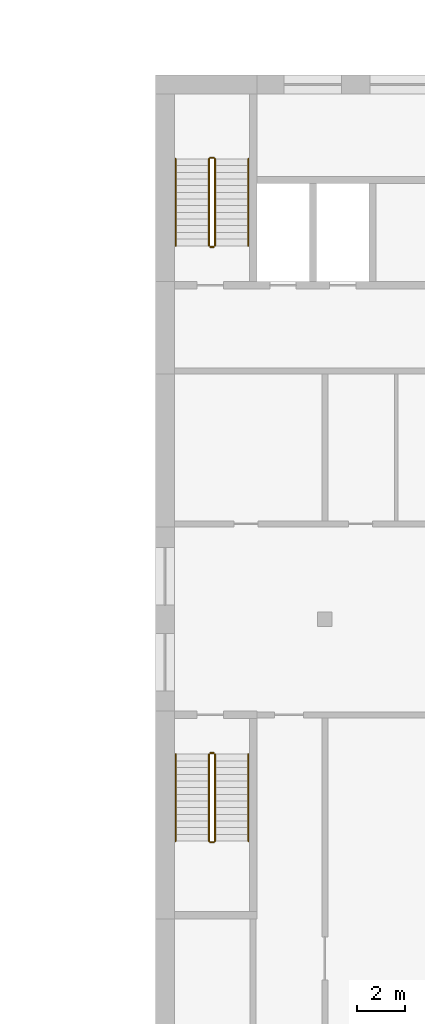
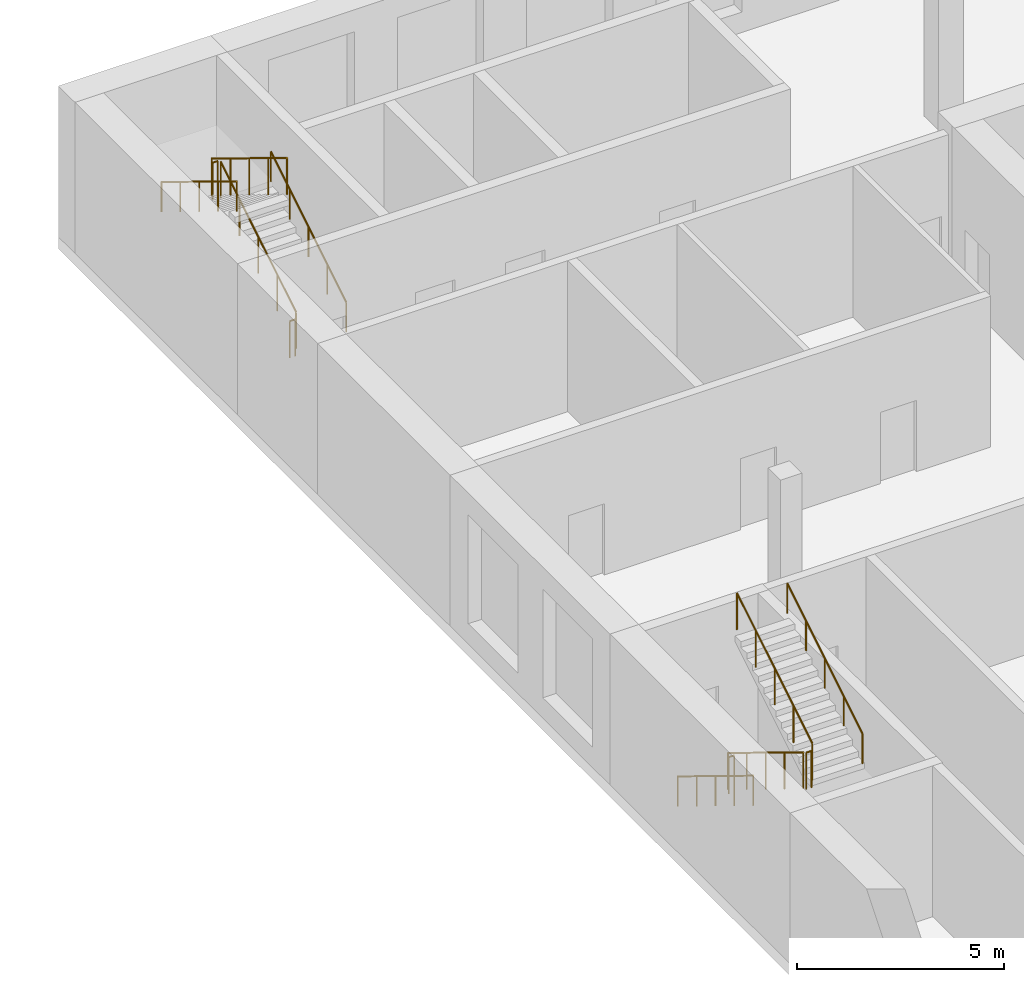
# One storey, part 16 of 24: 12 railings.
"""IFC4 building model written with IfcOpenShell, lengths in metres."""

from ifc_helpers import new_model, si_unit, direction, frame, origin, origin_2d, place, context, subcontext, project, spatial, circle, extrude, material, type_object, element, save


model = new_model("IFC4")

# Units and contexts
model_context = context("Model", 3, precision=1e-05, world=origin(), true_north=direction((0.0, 1.0)))
body_context = subcontext(model_context, "Body", "Model", "MODEL_VIEW")
ifc_project = project(units=[si_unit("LENGTHUNIT", "METRE"), si_unit("AREAUNIT", "SQUARE_METRE"), si_unit("VOLUMEUNIT", "CUBIC_METRE"), si_unit("PLANEANGLEUNIT", "RADIAN"), si_unit("MASSUNIT", "GRAM", prefix="KILO")], contexts=[model_context])

# Site, building, storey
site_placement = place(None, origin())
site = spatial("IfcSite", under=ifc_project, at=site_placement, CompositionType="ELEMENT")
building_placement = place(site_placement, origin())
building = spatial("IfcBuilding", under=site, at=building_placement, Name="Kiln Ring Residences", CompositionType="ELEMENT")
storey_placement = place(building_placement, frame((0.0, 0.0, 11.300048828125)))
storey = spatial("IfcBuildingStorey", under=building, at=storey_placement, Name="L02", CompositionType="ELEMENT", Elevation=11.300048828125)

# Railings
ifc_material_1 = material(Name="Stainless steel", Category="steel")
railing_type_1 = type_object("IfcRailingType", Name="Hall stair guard 1100", PredefinedType="GUARDRAIL", material=ifc_material_1)
railing_1_placement = place(storey_placement, frame((-27.5, -119.550048828125, 0.17138671875)))
element("IfcRailing", 1, at=railing_1_placement, inside=storey, type_object=railing_type_1, Name="L02 HALL.ST1 stair guard 1", PredefinedType="GUARDRAIL", context=body_context, shape_type="SweptSolid", body=[
    extrude(circle(Radius=0.02392578125, at=origin_2d()), frame((0.0, 0.0, 1.076171875), z_axis=(0.0, 0.852865859571, 0.52213008492), x_axis=(-1.0, 0.0, 0.0)), (0.0, 0.0, 1.0), 4.26806640625),
    extrude(circle(Radius=0.02099609375, at=origin_2d()), origin(), (0.0, 0.0, 1.0), 1.052001953125),
    extrude(circle(Radius=0.02099609375, at=origin_2d()), frame((0.0, 0.91015625, 0.55712890625)), (0.0, 0.0, 1.0), 1.052001953125),
    extrude(circle(Radius=0.02099609375, at=origin_2d()), frame((0.0, 1.820068359375, 1.1142578125)), (0.0, 0.0, 1.0), 1.052001953125),
    extrude(circle(Radius=0.02099609375, at=origin_2d()), frame((0.0, 2.72998046875, 1.67138671875)), (0.0, 0.0, 1.0), 1.052001953125),
    extrude(circle(Radius=0.02099609375, at=origin_2d()), frame((0.0, 3.64013671875, 2.228515625)), (0.0, 0.0, 1.0), 1.052001953125),
])
railing_2_placement = place(storey_placement, frame((-27.550048828125, -115.860107421875, 2.39990234375)))
element("IfcRailing", 2, at=railing_2_placement, inside=storey, type_object=railing_type_1, Name="L02 HALL.ST1 stair guard 2", PredefinedType="GUARDRAIL", context=body_context, shape_type="SweptSolid", body=[
    extrude(circle(Radius=0.02392578125, at=origin_2d()), frame((0.0, 0.0, 1.076171875), z_axis=(-1.0, 0.0, 0.0), x_axis=(0.0, -1.0, 0.0)), (0.0, 0.0, 1.0), 0.14990234375),
    extrude(circle(Radius=0.02099609375, at=origin_2d()), origin(), (0.0, 0.0, 1.0), 1.052001953125),
    extrude(circle(Radius=0.02099609375, at=origin_2d()), frame((-0.14990234375, 0.0, 0.0)), (0.0, 0.0, 1.0), 1.052001953125),
])
railing_3_placement = place(storey_placement, frame((-27.75, -115.909912109375, 2.5712890625)))
element("IfcRailing", 3, at=railing_3_placement, inside=storey, type_object=railing_type_1, Name="L02 HALL.ST1 stair guard 3", PredefinedType="GUARDRAIL", context=body_context, shape_type="SweptSolid", body=[
    extrude(circle(Radius=0.02392578125, at=origin_2d()), frame((0.0, 0.0, 1.076171875), z_axis=(0.0, -0.852840387347, 0.522171689878), x_axis=(1.0, 0.0, 0.0)), (0.0, 0.0, 1.0), 4.268310546875),
    extrude(circle(Radius=0.02099609375, at=origin_2d()), origin(), (0.0, 0.0, 1.0), 1.052001953125),
    extrude(circle(Radius=0.02099609375, at=origin_2d()), frame((0.0, -0.91015625, 0.55712890625)), (0.0, 0.0, 1.0), 1.052001953125),
    extrude(circle(Radius=0.02099609375, at=origin_2d()), frame((0.0, -1.820068359375, 1.1142578125)), (0.0, 0.0, 1.0), 1.052001953125),
    extrude(circle(Radius=0.02099609375, at=origin_2d()), frame((0.0, -2.72998046875, 1.671630859375)), (0.0, 0.0, 1.0), 1.052001953125),
    extrude(circle(Radius=0.02099609375, at=origin_2d()), frame((0.0, -3.64013671875, 2.228759765625)), (0.0, 0.0, 1.0), 1.052001953125),
])
railing_4_placement = place(storey_placement, frame((-27.550048828125, -119.60009765625, 0.0)))
element("IfcRailing", 4, at=railing_4_placement, inside=storey, type_object=railing_type_1, Name="L02 HALL.ST1 stair guard 4", PredefinedType="GUARDRAIL", context=body_context, shape_type="SweptSolid", body=[
    extrude(circle(Radius=0.02392578125, at=origin_2d()), frame((0.0, 0.0, 1.076171875), z_axis=(-1.0, 0.0, 0.0), x_axis=(0.0, -1.0, 0.0)), (0.0, 0.0, 1.0), 0.14990234375),
    extrude(circle(Radius=0.02099609375, at=origin_2d()), origin(), (0.0, 0.0, 1.0), 1.052001953125),
    extrude(circle(Radius=0.02099609375, at=origin_2d()), frame((-0.14990234375, 0.0, 0.0)), (0.0, 0.0, 1.0), 1.052001953125),
])
railing_5_placement = place(storey_placement, frame((-27.75, -140.85009765625, 0.17138671875)))
element("IfcRailing", 5, at=railing_5_placement, inside=storey, type_object=railing_type_1, Name="L02 HALL.ST3 stair guard 1", PredefinedType="GUARDRAIL", context=body_context, shape_type="SweptSolid", body=[
    extrude(circle(Radius=0.02392578125, at=origin_2d()), frame((0.0, 0.0, 1.076171875), z_axis=(0.0, -0.852850264322, 0.5221555579), x_axis=(1.0, 0.0, 0.0)), (0.0, 0.0, 1.0), 4.267822265625),
    extrude(circle(Radius=0.02099609375, at=origin_2d()), origin(), (0.0, 0.0, 1.0), 1.052001953125),
    extrude(circle(Radius=0.02099609375, at=origin_2d()), frame((0.0, -0.909912109375, 0.55712890625)), (0.0, 0.0, 1.0), 1.052001953125),
    extrude(circle(Radius=0.02099609375, at=origin_2d()), frame((0.0, -1.81982421875, 1.1142578125)), (0.0, 0.0, 1.0), 1.052001953125),
    extrude(circle(Radius=0.02099609375, at=origin_2d()), frame((0.0, -2.72998046875, 1.67138671875)), (0.0, 0.0, 1.0), 1.052001953125),
    extrude(circle(Radius=0.02099609375, at=origin_2d()), frame((0.0, -3.639892578125, 2.228515625)), (0.0, 0.0, 1.0), 1.052001953125),
])
railing_6_placement = place(storey_placement, frame((-27.699951171875, -144.5400390625, 2.39990234375)))
element("IfcRailing", 6, at=railing_6_placement, inside=storey, type_object=railing_type_1, Name="L02 HALL.ST3 stair guard 2", PredefinedType="GUARDRAIL", context=body_context, shape_type="SweptSolid", body=[
    extrude(circle(Radius=0.02392578125, at=origin_2d()), frame((0.0, 0.0, 1.076171875), z_axis=(1.0, 0.0, 0.0), x_axis=(0.0, 1.0, 0.0)), (0.0, 0.0, 1.0), 0.14990234375),
    extrude(circle(Radius=0.02099609375, at=origin_2d()), origin(), (0.0, 0.0, 1.0), 1.052001953125),
    extrude(circle(Radius=0.02099609375, at=origin_2d()), frame((0.14990234375, 0.0, 0.0)), (0.0, 0.0, 1.0), 1.052001953125),
])
railing_7_placement = place(storey_placement, frame((-27.5, -144.489990234375, 2.5712890625)))
element("IfcRailing", 7, at=railing_7_placement, inside=storey, type_object=railing_type_1, Name="L02 HALL.ST3 stair guard 3", PredefinedType="GUARDRAIL", context=body_context, shape_type="SweptSolid", body=[
    extrude(circle(Radius=0.02392578125, at=origin_2d()), frame((0.0, 0.0, 1.076171875), z_axis=(0.0, 0.852824790078, 0.522197163366), x_axis=(-1.0, 0.0, 0.0)), (0.0, 0.0, 1.0), 4.26806640625),
    extrude(circle(Radius=0.02099609375, at=origin_2d()), origin(), (0.0, 0.0, 1.0), 1.052001953125),
    extrude(circle(Radius=0.02099609375, at=origin_2d()), frame((0.0, 0.909912109375, 0.55712890625)), (0.0, 0.0, 1.0), 1.052001953125),
    extrude(circle(Radius=0.02099609375, at=origin_2d()), frame((0.0, 1.81982421875, 1.1142578125)), (0.0, 0.0, 1.0), 1.052001953125),
    extrude(circle(Radius=0.02099609375, at=origin_2d()), frame((0.0, 2.72998046875, 1.671630859375)), (0.0, 0.0, 1.0), 1.052001953125),
    extrude(circle(Radius=0.02099609375, at=origin_2d()), frame((0.0, 3.639892578125, 2.228759765625)), (0.0, 0.0, 1.0), 1.052001953125),
])
railing_8_placement = place(storey_placement, frame((-27.699951171875, -140.800048828125, 0.0)))
element("IfcRailing", 8, at=railing_8_placement, inside=storey, type_object=railing_type_1, Name="L02 HALL.ST3 stair guard 4", PredefinedType="GUARDRAIL", context=body_context, shape_type="SweptSolid", body=[
    extrude(circle(Radius=0.02392578125, at=origin_2d()), frame((0.0, 0.0, 1.076171875), z_axis=(1.0, 0.0, 0.0), x_axis=(0.0, 1.0, 0.0)), (0.0, 0.0, 1.0), 0.14990234375),
    extrude(circle(Radius=0.02099609375, at=origin_2d()), origin(), (0.0, 0.0, 1.0), 1.052001953125),
    extrude(circle(Radius=0.02099609375, at=origin_2d()), frame((0.14990234375, 0.0, 0.0)), (0.0, 0.0, 1.0), 1.052001953125),
])
ifc_material_2 = material(Name="Stainless steel", Category="steel")
railing_type_2 = type_object("IfcRailingType", Name="Hall stair handrail 900", PredefinedType="HANDRAIL", material=ifc_material_2)
railing_9_placement = place(storey_placement, frame((-26.10009765625, -119.550048828125, 0.17138671875)))
element("IfcRailing", 9, at=railing_9_placement, inside=storey, type_object=railing_type_2, Name="L02 HALL.ST1 stair handrail 1", PredefinedType="HANDRAIL", context=body_context, shape_type="SweptSolid", body=[
    extrude(circle(Radius=0.02392578125, at=origin_2d()), frame((0.0, 0.0, 0.8759765625), z_axis=(0.0, 0.852865859571, 0.52213008492), x_axis=(-1.0, 0.0, 0.0)), (0.0, 0.0, 1.0), 4.26806640625),
    extrude(circle(Radius=0.02099609375, at=origin_2d()), origin(), (0.0, 0.0, 1.0), 0.851806640625),
    extrude(circle(Radius=0.02099609375, at=origin_2d()), frame((0.0, 0.91015625, 0.55712890625)), (0.0, 0.0, 1.0), 0.851806640625),
    extrude(circle(Radius=0.02099609375, at=origin_2d()), frame((0.0, 1.820068359375, 1.1142578125)), (0.0, 0.0, 1.0), 0.851806640625),
    extrude(circle(Radius=0.02099609375, at=origin_2d()), frame((0.0, 2.72998046875, 1.67138671875)), (0.0, 0.0, 1.0), 0.851806640625),
    extrude(circle(Radius=0.02099609375, at=origin_2d()), frame((0.0, 3.64013671875, 2.228515625)), (0.0, 0.0, 1.0), 0.851806640625),
])
railing_10_placement = place(storey_placement, frame((-29.14990234375, -115.909912109375, 2.5712890625)))
element("IfcRailing", 10, at=railing_10_placement, inside=storey, type_object=railing_type_2, Name="L02 HALL.ST1 stair handrail 2", PredefinedType="HANDRAIL", context=body_context, shape_type="SweptSolid", body=[
    extrude(circle(Radius=0.02392578125, at=origin_2d()), frame((0.0, 0.0, 0.8759765625), z_axis=(0.0, -0.852840387347, 0.522171689878), x_axis=(1.0, 0.0, 0.0)), (0.0, 0.0, 1.0), 4.268310546875),
    extrude(circle(Radius=0.02099609375, at=origin_2d()), origin(), (0.0, 0.0, 1.0), 0.851806640625),
    extrude(circle(Radius=0.02099609375, at=origin_2d()), frame((0.0, -0.91015625, 0.55712890625)), (0.0, 0.0, 1.0), 0.851806640625),
    extrude(circle(Radius=0.02099609375, at=origin_2d()), frame((0.0, -1.820068359375, 1.1142578125)), (0.0, 0.0, 1.0), 0.851806640625),
    extrude(circle(Radius=0.02099609375, at=origin_2d()), frame((0.0, -2.72998046875, 1.671630859375)), (0.0, 0.0, 1.0), 0.851806640625),
    extrude(circle(Radius=0.02099609375, at=origin_2d()), frame((0.0, -3.64013671875, 2.228759765625)), (0.0, 0.0, 1.0), 0.851806640625),
])
railing_11_placement = place(storey_placement, frame((-29.14990234375, -140.85009765625, 0.17138671875)))
element("IfcRailing", 11, at=railing_11_placement, inside=storey, type_object=railing_type_2, Name="L02 HALL.ST3 stair handrail 1", PredefinedType="HANDRAIL", context=body_context, shape_type="SweptSolid", body=[
    extrude(circle(Radius=0.02392578125, at=origin_2d()), frame((0.0, 0.0, 0.8759765625), z_axis=(0.0, -0.852850264322, 0.5221555579), x_axis=(1.0, 0.0, 0.0)), (0.0, 0.0, 1.0), 4.267822265625),
    extrude(circle(Radius=0.02099609375, at=origin_2d()), origin(), (0.0, 0.0, 1.0), 0.851806640625),
    extrude(circle(Radius=0.02099609375, at=origin_2d()), frame((0.0, -0.909912109375, 0.55712890625)), (0.0, 0.0, 1.0), 0.851806640625),
    extrude(circle(Radius=0.02099609375, at=origin_2d()), frame((0.0, -1.81982421875, 1.1142578125)), (0.0, 0.0, 1.0), 0.851806640625),
    extrude(circle(Radius=0.02099609375, at=origin_2d()), frame((0.0, -2.72998046875, 1.67138671875)), (0.0, 0.0, 1.0), 0.851806640625),
    extrude(circle(Radius=0.02099609375, at=origin_2d()), frame((0.0, -3.639892578125, 2.228515625)), (0.0, 0.0, 1.0), 0.851806640625),
])
railing_12_placement = place(storey_placement, frame((-26.10009765625, -144.489990234375, 2.5712890625)))
element("IfcRailing", 12, at=railing_12_placement, inside=storey, type_object=railing_type_2, Name="L02 HALL.ST3 stair handrail 2", PredefinedType="HANDRAIL", context=body_context, shape_type="SweptSolid", body=[
    extrude(circle(Radius=0.02392578125, at=origin_2d()), frame((0.0, 0.0, 0.8759765625), z_axis=(0.0, 0.852824790078, 0.522197163366), x_axis=(-1.0, 0.0, 0.0)), (0.0, 0.0, 1.0), 4.26806640625),
    extrude(circle(Radius=0.02099609375, at=origin_2d()), origin(), (0.0, 0.0, 1.0), 0.851806640625),
    extrude(circle(Radius=0.02099609375, at=origin_2d()), frame((0.0, 0.909912109375, 0.55712890625)), (0.0, 0.0, 1.0), 0.851806640625),
    extrude(circle(Radius=0.02099609375, at=origin_2d()), frame((0.0, 1.81982421875, 1.1142578125)), (0.0, 0.0, 1.0), 0.851806640625),
    extrude(circle(Radius=0.02099609375, at=origin_2d()), frame((0.0, 2.72998046875, 1.671630859375)), (0.0, 0.0, 1.0), 0.851806640625),
    extrude(circle(Radius=0.02099609375, at=origin_2d()), frame((0.0, 3.639892578125, 2.228759765625)), (0.0, 0.0, 1.0), 0.851806640625),
])

save(model, "model.ifc")
